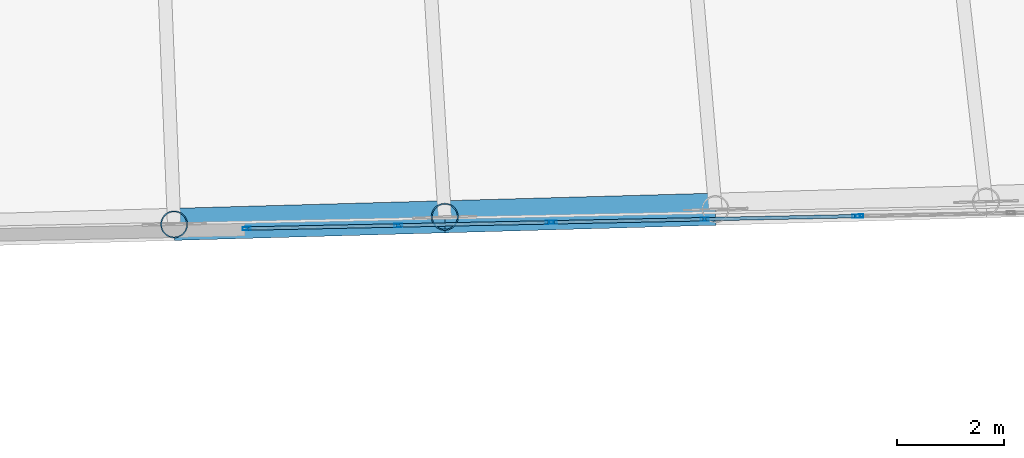
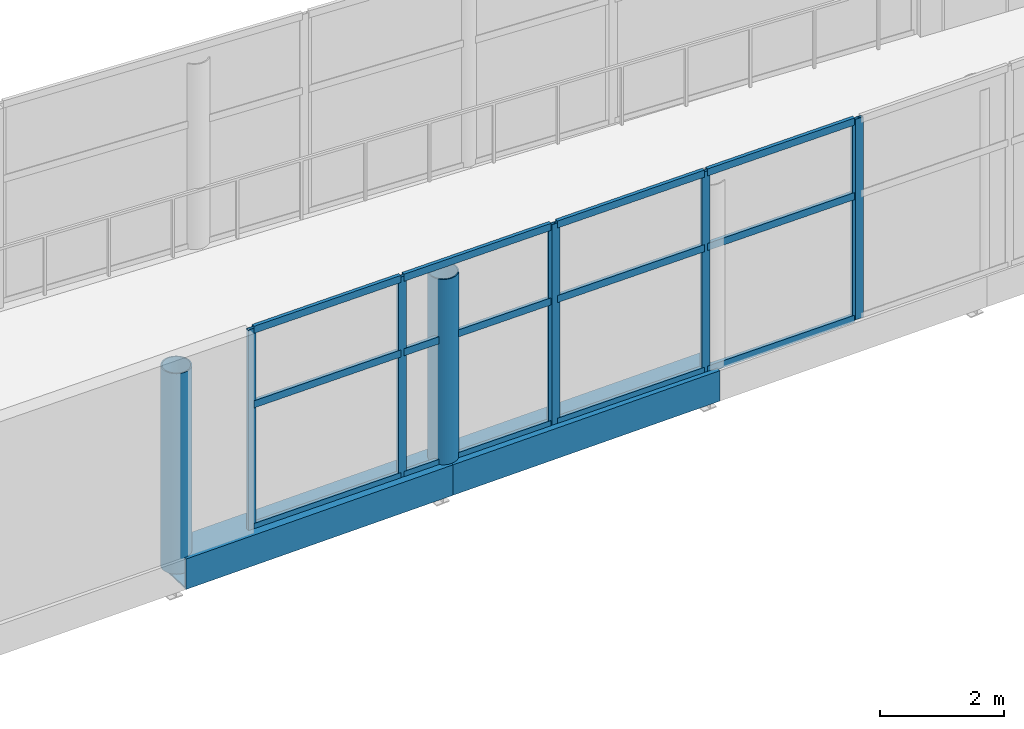
# One storey, part 4 of 23: 23 members, 3 elements without a shape of their own.
"""IFC4 building model written with IfcOpenShell, lengths in metres."""

from ifc_helpers import new_model, si_unit, direction, frame, origin, origin_2d, place, context, subcontext, project, spatial, hollow_rectangle, hollow_circle, extrude, material, layer, layer_set, material_profile, profile_set, type_object, element, aggregate, save


model = new_model("IFC4")

# Units and contexts
model_context = context("Model", 3, precision=1e-05, world=origin(), true_north=direction((0.0, 1.0)))
body_context = subcontext(model_context, "Body", "Model", "MODEL_VIEW")
ifc_project = project(units=[si_unit("LENGTHUNIT", "METRE"), si_unit("AREAUNIT", "SQUARE_METRE"), si_unit("VOLUMEUNIT", "CUBIC_METRE"), si_unit("PLANEANGLEUNIT", "RADIAN"), si_unit("MASSUNIT", "GRAM", prefix="KILO")], contexts=[model_context])

# Site, building, storey
site_placement = place(None, origin())
site = spatial("IfcSite", under=ifc_project, at=site_placement, CompositionType="ELEMENT")
building_placement = place(site_placement, origin())
building = spatial("IfcBuilding", under=site, at=building_placement, Name="Haevon Station Towers", CompositionType="ELEMENT")
storey_placement = place(building_placement, frame((0.0, 0.0, 197.10009765625)))
storey = spatial("IfcBuildingStorey", under=building, at=storey_placement, Name="L54", CompositionType="ELEMENT", Elevation=197.10009765625)

# Members
ifc_material_1 = material(Name="Steel S460", Category="steel")
ifc_material_profile_1 = material_profile(ifc_material_1, hollow_rectangle(XDim=0.60009765625, YDim=0.60009765625, WallThickness=0.030029296875, at=origin_2d()), Name="RHS-600x600x30")
ifc_profile_set_1 = profile_set([ifc_material_profile_1], Name="Steel S460")
member_type_1 = type_object("IfcMemberType", Name="CHSKP-600", PredefinedType="CHORD", material=ifc_profile_set_1)
member_1_placement = place(storey_placement, frame((66.637451171875, 30.28369140625, -0.300048828125), z_axis=(0.999606716423, 0.028043046946, 0.0), x_axis=(-0.028043046946, 0.999606716423, 0.0)))
element("IfcMember", 1, at=member_1_placement, inside=storey, type_object=member_type_1, Name="CH-SKP-S-BOT-3", PredefinedType="CHORD", context=body_context, shape_type="SweptSolid", body=[
    extrude(hollow_rectangle(XDim=0.60009765625, YDim=0.60009765625, WallThickness=0.030029296875, at=origin_2d()), origin(), (0.0, 0.0, 1.0), 5.05810546875),
])
member_2_placement = place(storey_placement, frame((71.693603515625, 30.425537109375, -0.300048828125), z_axis=(0.999605400329, 0.028089920477, 0.0), x_axis=(-0.028089920477, 0.999605400329, 0.0)))
element("IfcMember", 2, at=member_2_placement, inside=storey, type_object=member_type_1, Name="CH-SKP-S-BOT-4", PredefinedType="CHORD", context=body_context, shape_type="SweptSolid", body=[
    extrude(hollow_rectangle(XDim=0.60009765625, YDim=0.60009765625, WallThickness=0.030029296875, at=origin_2d()), origin(), (0.0, 0.0, 1.0), 5.058349609375),
])

# Curtain wall, members
ifc_material_2 = material(Name="Anodised aluminium and Low-E double glazing", Category="aluminium")
ifc_layer = layer(ifc_material_2, 0.179931640625)
ifc_layer_set = layer_set([ifc_layer], Name="Anodised aluminium and Low-E double glazing")
curtain_wall_type = type_object("IfcCurtainWallType", Name="CW-SYS6", PredefinedType="NOTDEFINED", material=ifc_layer_set)
curtain_wall_1_placement = place(storey_placement, origin())
curtain_wall_1 = element("IfcCurtainWall", 3, at=curtain_wall_1_placement, inside=storey, type_object=curtain_wall_type, Name="L54 Curtain Wall CW-SKP-L54-S1", PredefinedType="NOTDEFINED")
ifc_material_3 = material(Name="Anodised aluminium 6063-T6", Category="aluminium")
ifc_material_profile_2 = material_profile(ifc_material_3, hollow_rectangle(XDim=0.06005859375, YDim=0.14990234375, WallThickness=0.00341796875, at=origin_2d()), Name="CWM-150x60x3.5")
ifc_profile_set_2 = profile_set([ifc_material_profile_2], Name="Anodised aluminium 6063-T6")
member_type_2 = type_object("IfcMemberType", Name="CWM-150", PredefinedType="MULLION", material=ifc_profile_set_2)
member_3_placement = place(storey_placement, frame((67.990234375, 30.2060546875, 0.0), z_axis=(0.0, 0.0, 1.0), x_axis=(-0.020373506303, 0.99979243858, 0.0)))
member_3 = element("IfcMember", 4, at=member_3_placement, type_object=member_type_2, Name="CW-SYS6 mullion 1", PredefinedType="MULLION", context=body_context, shape_type="SweptSolid", body=[
    extrude(hollow_rectangle(XDim=0.06005859375, YDim=0.14990234375, WallThickness=0.00341796875, at=origin_2d()), origin(), (0.0, 0.0, 1.0), 3.949951171875),
])
member_4_placement = place(storey_placement, frame((70.822509765625, 30.263671875, 0.0), z_axis=(0.0, 0.0, 1.0), x_axis=(-0.020373506303, 0.99979243858, 0.0)))
member_4 = element("IfcMember", 5, at=member_4_placement, type_object=member_type_2, Name="CW-SYS6 mullion 2", PredefinedType="MULLION", context=body_context, shape_type="SweptSolid", body=[
    extrude(hollow_rectangle(XDim=0.06005859375, YDim=0.14990234375, WallThickness=0.00341796875, at=origin_2d()), origin(), (0.0, 0.0, 1.0), 3.949951171875),
])
member_5_placement = place(storey_placement, frame((73.65478515625, 30.321533203125, 0.0), z_axis=(0.0, 0.0, 1.0), x_axis=(-0.020373506303, 0.99979243858, 0.0)))
member_5 = element("IfcMember", 6, at=member_5_placement, type_object=member_type_2, Name="CW-SYS6 mullion 3", PredefinedType="MULLION", context=body_context, shape_type="SweptSolid", body=[
    extrude(hollow_rectangle(XDim=0.06005859375, YDim=0.14990234375, WallThickness=0.00341796875, at=origin_2d()), origin(), (0.0, 0.0, 1.0), 3.949951171875),
])

curtain_wall_2_placement = place(storey_placement, origin())
curtain_wall_2 = element("IfcCurtainWall", 7, at=curtain_wall_2_placement, inside=storey, type_object=curtain_wall_type, Name="L54 Curtain Wall CW-SKP-L54-S2", PredefinedType="NOTDEFINED")
member_6_placement = place(storey_placement, frame((73.71484375, 30.32275390625, 0.0), z_axis=(0.0, 0.0, 1.0), x_axis=(-0.020373331736, 0.999792442137, 0.0)))
member_6 = element("IfcMember", 8, at=member_6_placement, type_object=member_type_2, Name="CW-SYS6 mullion 1", PredefinedType="MULLION", context=body_context, shape_type="SweptSolid", body=[
    extrude(hollow_rectangle(XDim=0.06005859375, YDim=0.14990234375, WallThickness=0.00341796875, at=origin_2d()), origin(), (0.0, 0.0, 1.0), 3.949951171875),
])
member_7_placement = place(storey_placement, frame((76.547119140625, 30.38037109375, 0.0), z_axis=(0.0, 0.0, 1.0), x_axis=(-0.020373331736, 0.999792442137, 0.0)))
member_7 = element("IfcMember", 9, at=member_7_placement, type_object=member_type_2, Name="CW-SYS6 mullion 2", PredefinedType="MULLION", context=body_context, shape_type="SweptSolid", body=[
    extrude(hollow_rectangle(XDim=0.06005859375, YDim=0.14990234375, WallThickness=0.00341796875, at=origin_2d()), origin(), (0.0, 0.0, 1.0), 3.949951171875),
])
member_8_placement = place(storey_placement, frame((79.37939453125, 30.43798828125, 0.0), z_axis=(0.0, 0.0, 1.0), x_axis=(-0.020373331736, 0.999792442137, 0.0)))
member_8 = element("IfcMember", 10, at=member_8_placement, type_object=member_type_2, Name="CW-SYS6 mullion 3", PredefinedType="MULLION", context=body_context, shape_type="SweptSolid", body=[
    extrude(hollow_rectangle(XDim=0.06005859375, YDim=0.14990234375, WallThickness=0.00341796875, at=origin_2d()), origin(), (0.0, 0.0, 1.0), 3.949951171875),
])

# Curtain wall, member
curtain_wall_3_placement = place(storey_placement, origin())
curtain_wall_3 = element("IfcCurtainWall", 11, at=curtain_wall_3_placement, inside=storey, type_object=curtain_wall_type, Name="L54 Curtain Wall CW-SKP-L54-S3", PredefinedType="NOTDEFINED")
member_9_placement = place(storey_placement, frame((79.439453125, 30.439208984375, 0.0), z_axis=(0.0, 0.0, 1.0), x_axis=(-0.020373506303, 0.99979243858, 0.0)))
member_9 = element("IfcMember", 12, at=member_9_placement, type_object=member_type_2, Name="CW-SYS6 mullion 1", PredefinedType="MULLION", context=body_context, shape_type="SweptSolid", body=[
    extrude(hollow_rectangle(XDim=0.06005859375, YDim=0.14990234375, WallThickness=0.00341796875, at=origin_2d()), origin(), (0.0, 0.0, 1.0), 3.949951171875),
])
aggregate(curtain_wall_3, [member_9])

# Member
ifc_material_profile_3 = material_profile(ifc_material_3, hollow_rectangle(XDim=0.06494140625, YDim=0.139892578125, WallThickness=0.00341796875, at=origin_2d()), Name="CWT-140x65x3.5")
ifc_profile_set_3 = profile_set([ifc_material_profile_3], Name="Anodised aluminium 6063-T6")
member_type_3 = type_object("IfcMemberType", Name="CWT-140", PredefinedType="USERDEFINED", material=ifc_profile_set_3)
member_10_placement = place(storey_placement, frame((68.020263671875, 30.20654296875, 0.032470703125), z_axis=(0.999791341658, 0.020427264753, 0.0), x_axis=(-0.020427264753, 0.999791341658, 0.0)))
member_10 = element("IfcMember", 13, at=member_10_placement, type_object=member_type_3, Name="CW-SYS6 transom 1.1", ObjectType="TRANSOM", PredefinedType="USERDEFINED", context=body_context, shape_type="SweptSolid", body=[
    extrude(hollow_rectangle(XDim=0.06494140625, YDim=0.139892578125, WallThickness=0.00341796875, at=origin_2d()), origin(), (0.0, 0.0, 1.0), 2.772705078125),
])

member_11_placement = place(storey_placement, frame((68.020263671875, 30.20654296875, 2.448974609375), z_axis=(0.999791341658, 0.020427264753, 0.0), x_axis=(-0.020427264753, 0.999791341658, 0.0)))
member_11 = element("IfcMember", 14, at=member_11_placement, type_object=member_type_3, Name="CW-SYS6 transom 1.2", ObjectType="TRANSOM", PredefinedType="USERDEFINED", context=body_context, shape_type="SweptSolid", body=[
    extrude(hollow_rectangle(XDim=0.06494140625, YDim=0.139892578125, WallThickness=0.00341796875, at=origin_2d()), origin(), (0.0, 0.0, 1.0), 2.772705078125),
])

member_12_placement = place(storey_placement, frame((68.020263671875, 30.20654296875, 3.91748046875), z_axis=(0.999791341658, 0.020427264753, 0.0), x_axis=(-0.020427264753, 0.999791341658, 0.0)))
member_12 = element("IfcMember", 15, at=member_12_placement, type_object=member_type_3, Name="CW-SYS6 transom 1.3", ObjectType="TRANSOM", PredefinedType="USERDEFINED", context=body_context, shape_type="SweptSolid", body=[
    extrude(hollow_rectangle(XDim=0.06494140625, YDim=0.139892578125, WallThickness=0.00341796875, at=origin_2d()), origin(), (0.0, 0.0, 1.0), 2.772705078125),
])

member_13_placement = place(storey_placement, frame((70.8525390625, 30.264404296875, 0.032470703125), z_axis=(0.999793136003, 0.020339252701, 0.0), x_axis=(-0.020339252701, 0.999793136003, 0.0)))
member_13 = element("IfcMember", 16, at=member_13_placement, type_object=member_type_3, Name="CW-SYS6 transom 2.1", ObjectType="TRANSOM", PredefinedType="USERDEFINED", context=body_context, shape_type="SweptSolid", body=[
    extrude(hollow_rectangle(XDim=0.06494140625, YDim=0.139892578125, WallThickness=0.00341796875, at=origin_2d()), origin(), (0.0, 0.0, 1.0), 2.772705078125),
])

member_14_placement = place(storey_placement, frame((70.8525390625, 30.264404296875, 2.448974609375), z_axis=(0.999793136003, 0.020339252701, 0.0), x_axis=(-0.020339252701, 0.999793136003, 0.0)))
member_14 = element("IfcMember", 17, at=member_14_placement, type_object=member_type_3, Name="CW-SYS6 transom 2.2", ObjectType="TRANSOM", PredefinedType="USERDEFINED", context=body_context, shape_type="SweptSolid", body=[
    extrude(hollow_rectangle(XDim=0.06494140625, YDim=0.139892578125, WallThickness=0.00341796875, at=origin_2d()), origin(), (0.0, 0.0, 1.0), 2.772705078125),
])

member_15_placement = place(storey_placement, frame((70.8525390625, 30.264404296875, 3.91748046875), z_axis=(0.999793136003, 0.020339252701, 0.0), x_axis=(-0.020339252701, 0.999793136003, 0.0)))
member_15 = element("IfcMember", 18, at=member_15_placement, type_object=member_type_3, Name="CW-SYS6 transom 2.3", ObjectType="TRANSOM", PredefinedType="USERDEFINED", context=body_context, shape_type="SweptSolid", body=[
    extrude(hollow_rectangle(XDim=0.06494140625, YDim=0.139892578125, WallThickness=0.00341796875, at=origin_2d()), origin(), (0.0, 0.0, 1.0), 2.772705078125),
])

aggregate(curtain_wall_1, [member_3, member_4, member_5, member_10, member_11, member_12, member_13, member_14, member_15])

member_16_placement = place(storey_placement, frame((73.744873046875, 30.3232421875, 0.032470703125), z_axis=(0.999791341658, 0.020427264753, 0.0), x_axis=(-0.020427264753, 0.999791341658, 0.0)))
member_16 = element("IfcMember", 19, at=member_16_placement, type_object=member_type_3, Name="CW-SYS6 transom 1.1", ObjectType="TRANSOM", PredefinedType="USERDEFINED", context=body_context, shape_type="SweptSolid", body=[
    extrude(hollow_rectangle(XDim=0.06494140625, YDim=0.139892578125, WallThickness=0.00341796875, at=origin_2d()), origin(), (0.0, 0.0, 1.0), 2.772705078125),
])

member_17_placement = place(storey_placement, frame((73.744873046875, 30.3232421875, 2.448974609375), z_axis=(0.999791341658, 0.020427264753, 0.0), x_axis=(-0.020427264753, 0.999791341658, 0.0)))
member_17 = element("IfcMember", 20, at=member_17_placement, type_object=member_type_3, Name="CW-SYS6 transom 1.2", ObjectType="TRANSOM", PredefinedType="USERDEFINED", context=body_context, shape_type="SweptSolid", body=[
    extrude(hollow_rectangle(XDim=0.06494140625, YDim=0.139892578125, WallThickness=0.00341796875, at=origin_2d()), origin(), (0.0, 0.0, 1.0), 2.772705078125),
])

member_18_placement = place(storey_placement, frame((73.744873046875, 30.3232421875, 3.91748046875), z_axis=(0.999791341658, 0.020427264753, 0.0), x_axis=(-0.020427264753, 0.999791341658, 0.0)))
member_18 = element("IfcMember", 21, at=member_18_placement, type_object=member_type_3, Name="CW-SYS6 transom 1.3", ObjectType="TRANSOM", PredefinedType="USERDEFINED", context=body_context, shape_type="SweptSolid", body=[
    extrude(hollow_rectangle(XDim=0.06494140625, YDim=0.139892578125, WallThickness=0.00341796875, at=origin_2d()), origin(), (0.0, 0.0, 1.0), 2.772705078125),
])

member_19_placement = place(storey_placement, frame((76.5771484375, 30.381103515625, 0.032470703125), z_axis=(0.999793136003, 0.020339252701, 0.0), x_axis=(-0.020339252701, 0.999793136003, 0.0)))
member_19 = element("IfcMember", 22, at=member_19_placement, type_object=member_type_3, Name="CW-SYS6 transom 2.1", ObjectType="TRANSOM", PredefinedType="USERDEFINED", context=body_context, shape_type="SweptSolid", body=[
    extrude(hollow_rectangle(XDim=0.06494140625, YDim=0.139892578125, WallThickness=0.00341796875, at=origin_2d()), origin(), (0.0, 0.0, 1.0), 2.772705078125),
])

member_20_placement = place(storey_placement, frame((76.5771484375, 30.381103515625, 2.448974609375), z_axis=(0.999793136003, 0.020339252701, 0.0), x_axis=(-0.020339252701, 0.999793136003, 0.0)))
member_20 = element("IfcMember", 23, at=member_20_placement, type_object=member_type_3, Name="CW-SYS6 transom 2.2", ObjectType="TRANSOM", PredefinedType="USERDEFINED", context=body_context, shape_type="SweptSolid", body=[
    extrude(hollow_rectangle(XDim=0.06494140625, YDim=0.139892578125, WallThickness=0.00341796875, at=origin_2d()), origin(), (0.0, 0.0, 1.0), 2.772705078125),
])

member_21_placement = place(storey_placement, frame((76.5771484375, 30.381103515625, 3.91748046875), z_axis=(0.999793136003, 0.020339252701, 0.0), x_axis=(-0.020339252701, 0.999793136003, 0.0)))
member_21 = element("IfcMember", 24, at=member_21_placement, type_object=member_type_3, Name="CW-SYS6 transom 2.3", ObjectType="TRANSOM", PredefinedType="USERDEFINED", context=body_context, shape_type="SweptSolid", body=[
    extrude(hollow_rectangle(XDim=0.06494140625, YDim=0.139892578125, WallThickness=0.00341796875, at=origin_2d()), origin(), (0.0, 0.0, 1.0), 2.772705078125),
])

aggregate(curtain_wall_2, [member_6, member_7, member_8, member_16, member_17, member_18, member_19, member_20, member_21])

# Members
ifc_material_profile_4 = material_profile(ifc_material_1, hollow_circle(Radius=0.25390625, WallThickness=0.02197265625, at=origin_2d()), Name="CHS-508x22")
ifc_profile_set_4 = profile_set([ifc_material_profile_4], Name="Steel S460")
member_type_4 = type_object("IfcMemberType", Name="PSSKP-508", PredefinedType="POST", material=ifc_profile_set_4)
for number, where, z_axis, x_axis, name in (
    (25, (66.637451171875, 30.28369140625, -0.300048828125), (0.0, 0.0, 1.0), (1.0, 0.0, 0.0), "PS-SKP-S-L54-3"),
    (26, (71.693603515625, 30.425537109375, -0.300048828125), (0.0, 0.0, 1.0), (1.0, 0.0, 0.0), "PS-SKP-S-L54-4"),
):
    element("IfcMember", number, at=place(storey_placement, frame(where, z_axis=z_axis, x_axis=x_axis)), inside=storey, type_object=member_type_4, Name=name, PredefinedType="POST", context=body_context, shape_type="SweptSolid", body=[
        extrude(hollow_circle(Radius=0.25390625, WallThickness=0.02197265625, at=origin_2d()), origin(), (0.0, 0.0, 1.0), 3.949951171875),
    ])

save(model, "model.ifc")
